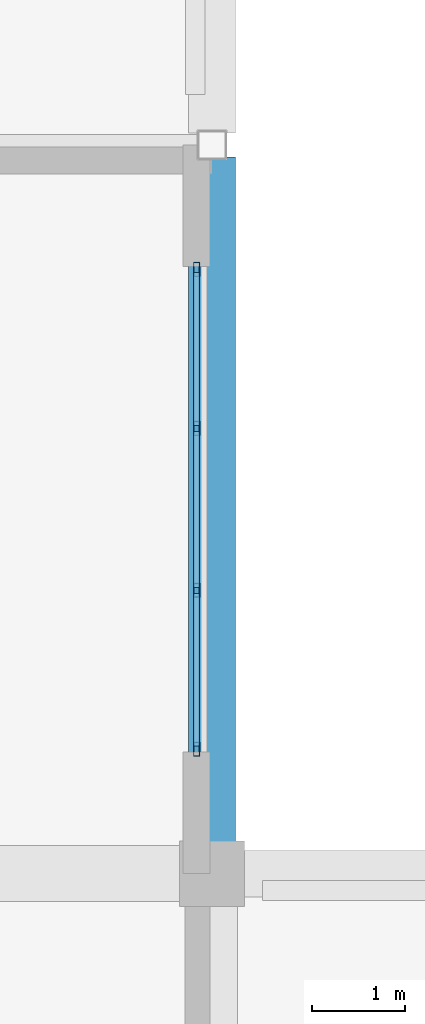
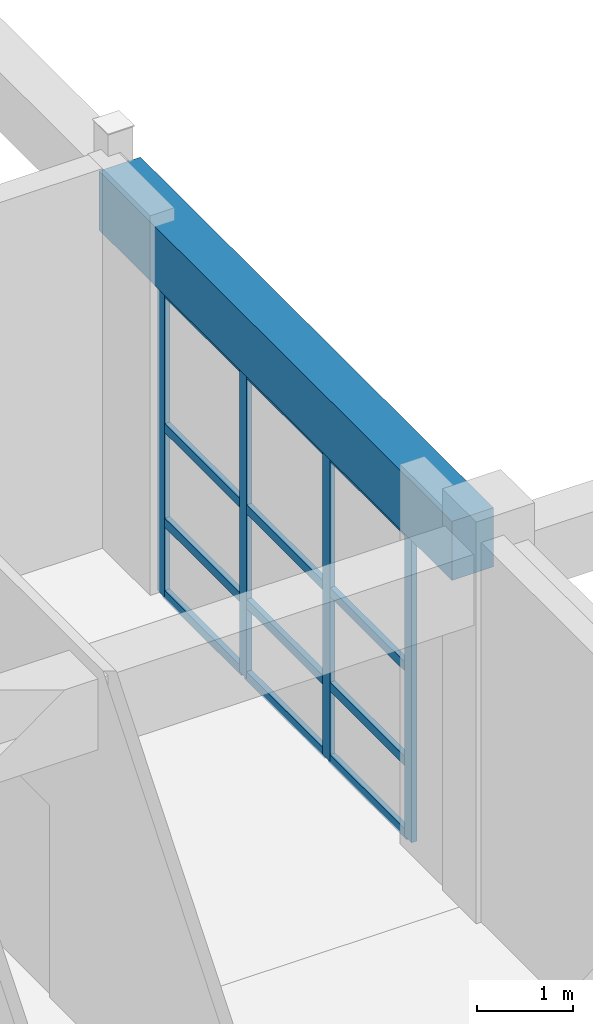
# One storey, part 15 of 78: 16 members, 1 beam, 1 element without a shape of its own.
"""IFC4 building model written with IfcOpenShell, lengths in metres."""

from ifc_helpers import new_model, si_unit, direction, frame, origin, origin_2d, place, context, subcontext, project, spatial, rectangle, hollow_rectangle, extrude, material, layer, layer_set, material_profile, profile_set, type_object, element, aggregate, save


model = new_model("IFC4")

# Units and contexts
model_context = context("Model", 3, precision=1e-05, world=origin(), true_north=direction((0.0, 1.0)))
body_context = subcontext(model_context, "Body", "Model", "MODEL_VIEW")
ifc_project = project(units=[si_unit("LENGTHUNIT", "METRE"), si_unit("AREAUNIT", "SQUARE_METRE"), si_unit("VOLUMEUNIT", "CUBIC_METRE"), si_unit("PLANEANGLEUNIT", "RADIAN"), si_unit("MASSUNIT", "GRAM", prefix="KILO")], contexts=[model_context])

# Site, building, storey
site_placement = place(None, origin())
site = spatial("IfcSite", under=ifc_project, at=site_placement, CompositionType="ELEMENT")
building_placement = place(site_placement, origin())
building = spatial("IfcBuilding", under=site, at=building_placement, Name="Quendrovan Civic Courthouse", CompositionType="ELEMENT")
storey_placement = place(building_placement, frame((0.0, 0.0, 10.199951171875)))
storey = spatial("IfcBuildingStorey", under=building, at=storey_placement, Name="L03", CompositionType="ELEMENT", Elevation=10.199951171875)

# Beam
ifc_material_1 = material(Name="Concrete C40/50", Category="concrete")
ifc_material_profile_1 = material_profile(ifc_material_1, rectangle(XDim=0.5, YDim=0.75, at=origin_2d()), Name="RC-BM-500x750")
ifc_profile_set_1 = profile_set([ifc_material_profile_1], Name="Concrete C40/50")
beam_type = type_object("IfcBeamType", Name="BM-RC750", PredefinedType="SPANDREL", material=ifc_profile_set_1)
beam_placement = place(storey_placement, frame((16.800048828125, 15.929931640625, 4.28515625), z_axis=(0.0, 1.0, 0.0), x_axis=(-1.0, 0.0, 0.0)))
element("IfcBeam", 1, at=beam_placement, inside=storey, type_object=beam_type, Name="L03 Girder Y0810", PredefinedType="SPANDREL", context=body_context, shape_type="SweptSolid", body=[
    extrude(rectangle(XDim=0.5, YDim=0.75, at=origin_2d()), origin(), (0.0, 0.0, 1.0), 7.340087890625),
])

# Curtain wall, members
ifc_material_2 = material(Name="Bronze anodised aluminium and low-E glass", Category="aluminium")
ifc_layer = layer(ifc_material_2, 0.179931640625, Name="Bronze anodised aluminium and low-E glass")
ifc_layer_set = layer_set([ifc_layer], Name="Bronze anodised aluminium and low-E glass")
curtain_wall_type = type_object("IfcCurtainWallType", Name="CW-U52x39", PredefinedType="USERDEFINED", material=ifc_layer_set)
curtain_wall_placement = place(storey_placement, origin())
curtain_wall = element("IfcCurtainWall", 2, at=curtain_wall_placement, inside=storey, type_object=curtain_wall_type, Name="L03 Unitised Hurricane Curtain Wall CW-127", ObjectType="UNITISED CURTAIN WALL", PredefinedType="USERDEFINED")
ifc_material_3 = material(Name="Bronze anodised aluminium", Category="aluminium")
ifc_material_profile_2 = material_profile(ifc_material_3, hollow_rectangle(XDim=0.06494140625, YDim=0.14990234375, WallThickness=0.00390625, at=origin_2d()), Name="CW-MULL-65x150")
ifc_profile_set_2 = profile_set([ifc_material_profile_2], Name="Bronze anodised aluminium")
member_type_1 = type_object("IfcMemberType", Name="CW-MULL-B", PredefinedType="MULLION", material=ifc_profile_set_2)
member_1_placement = place(storey_placement, frame((16.635009765625, 22.0673828125, 0.0), z_axis=(0.0, 0.0, 1.0), x_axis=(1.0, 0.0, 0.0)))
member_1 = element("IfcMember", 3, at=member_1_placement, type_object=member_type_1, Name="CW-127 mullion 1", PredefinedType="MULLION", context=body_context, shape_type="SweptSolid", body=[
    extrude(hollow_rectangle(XDim=0.06494140625, YDim=0.14990234375, WallThickness=0.00390625, at=origin_2d()), origin(), (0.0, 0.0, 1.0), 3.900146484375),
])
member_2_placement = place(storey_placement, frame((16.635009765625, 20.36669921875, 0.0), z_axis=(0.0, 0.0, 1.0), x_axis=(1.0, 0.0, 0.0)))
member_2 = element("IfcMember", 4, at=member_2_placement, type_object=member_type_1, Name="CW-127 mullion 2", PredefinedType="MULLION", context=body_context, shape_type="SweptSolid", body=[
    extrude(hollow_rectangle(XDim=0.06494140625, YDim=0.14990234375, WallThickness=0.00390625, at=origin_2d()), origin(), (0.0, 0.0, 1.0), 3.900146484375),
])
member_3_placement = place(storey_placement, frame((16.635009765625, 18.63330078125, 0.0), z_axis=(0.0, 0.0, 1.0), x_axis=(1.0, 0.0, 0.0)))
member_3 = element("IfcMember", 5, at=member_3_placement, type_object=member_type_1, Name="CW-127 mullion 3", PredefinedType="MULLION", context=body_context, shape_type="SweptSolid", body=[
    extrude(hollow_rectangle(XDim=0.06494140625, YDim=0.14990234375, WallThickness=0.00390625, at=origin_2d()), origin(), (0.0, 0.0, 1.0), 3.900146484375),
])
member_4_placement = place(storey_placement, frame((16.635009765625, 16.9326171875, 0.0), z_axis=(0.0, 0.0, 1.0), x_axis=(1.0, 0.0, 0.0)))
member_4 = element("IfcMember", 6, at=member_4_placement, type_object=member_type_1, Name="CW-127 mullion 4", PredefinedType="MULLION", context=body_context, shape_type="SweptSolid", body=[
    extrude(hollow_rectangle(XDim=0.06494140625, YDim=0.14990234375, WallThickness=0.00390625, at=origin_2d()), origin(), (0.0, 0.0, 1.0), 3.900146484375),
])
ifc_material_profile_3 = material_profile(ifc_material_3, hollow_rectangle(XDim=0.06494140625, YDim=0.114990234375, WallThickness=0.00390625, at=origin_2d()), Name="CW-TRAN-65x115")
ifc_profile_set_3 = profile_set([ifc_material_profile_3], Name="Bronze anodised aluminium")
member_type_2 = type_object("IfcMemberType", Name="CW-TRAN-B", PredefinedType="USERDEFINED", material=ifc_profile_set_3)
member_5_placement = place(storey_placement, frame((16.635009765625, 22.034912109375, 0.032470703125), z_axis=(0.0, -1.0, 0.0), x_axis=(1.0, 0.0, 0.0)))
member_5 = element("IfcMember", 7, at=member_5_placement, type_object=member_type_2, Name="CW-127 transom 1.1", ObjectType="TRANSOM", PredefinedType="USERDEFINED", context=body_context, shape_type="SweptSolid", body=[
    extrude(hollow_rectangle(XDim=0.06494140625, YDim=0.114990234375, WallThickness=0.00390625, at=origin_2d()), origin(), (0.0, 0.0, 1.0), 1.6357421875),
])
member_6_placement = place(storey_placement, frame((16.635009765625, 22.034912109375, 0.949951171875), z_axis=(0.0, -1.0, 0.0), x_axis=(1.0, 0.0, 0.0)))
member_6 = element("IfcMember", 8, at=member_6_placement, type_object=member_type_2, Name="CW-127 transom 1.2", ObjectType="TRANSOM", PredefinedType="USERDEFINED", context=body_context, shape_type="SweptSolid", body=[
    extrude(hollow_rectangle(XDim=0.06494140625, YDim=0.114990234375, WallThickness=0.00390625, at=origin_2d()), origin(), (0.0, 0.0, 1.0), 1.6357421875),
])
member_7_placement = place(storey_placement, frame((16.635009765625, 22.034912109375, 2.150146484375), z_axis=(0.0, -1.0, 0.0), x_axis=(1.0, 0.0, 0.0)))
member_7 = element("IfcMember", 9, at=member_7_placement, type_object=member_type_2, Name="CW-127 transom 1.3", ObjectType="TRANSOM", PredefinedType="USERDEFINED", context=body_context, shape_type="SweptSolid", body=[
    extrude(hollow_rectangle(XDim=0.06494140625, YDim=0.114990234375, WallThickness=0.00390625, at=origin_2d()), origin(), (0.0, 0.0, 1.0), 1.6357421875),
])
member_8_placement = place(storey_placement, frame((16.635009765625, 22.034912109375, 3.867431640625), z_axis=(0.0, -1.0, 0.0), x_axis=(1.0, 0.0, 0.0)))
member_8 = element("IfcMember", 10, at=member_8_placement, type_object=member_type_2, Name="CW-127 transom 1.4", ObjectType="TRANSOM", PredefinedType="USERDEFINED", context=body_context, shape_type="SweptSolid", body=[
    extrude(hollow_rectangle(XDim=0.06494140625, YDim=0.114990234375, WallThickness=0.00390625, at=origin_2d()), origin(), (0.0, 0.0, 1.0), 1.6357421875),
])
member_9_placement = place(storey_placement, frame((16.635009765625, 20.334228515625, 0.032470703125), z_axis=(0.0, -1.0, 0.0), x_axis=(1.0, 0.0, 0.0)))
member_9 = element("IfcMember", 11, at=member_9_placement, type_object=member_type_2, Name="CW-127 transom 2.1", ObjectType="TRANSOM", PredefinedType="USERDEFINED", context=body_context, shape_type="SweptSolid", body=[
    extrude(hollow_rectangle(XDim=0.06494140625, YDim=0.114990234375, WallThickness=0.00390625, at=origin_2d()), origin(), (0.0, 0.0, 1.0), 1.66845703125),
])
member_10_placement = place(storey_placement, frame((16.635009765625, 20.334228515625, 0.949951171875), z_axis=(0.0, -1.0, 0.0), x_axis=(1.0, 0.0, 0.0)))
member_10 = element("IfcMember", 12, at=member_10_placement, type_object=member_type_2, Name="CW-127 transom 2.2", ObjectType="TRANSOM", PredefinedType="USERDEFINED", context=body_context, shape_type="SweptSolid", body=[
    extrude(hollow_rectangle(XDim=0.06494140625, YDim=0.114990234375, WallThickness=0.00390625, at=origin_2d()), origin(), (0.0, 0.0, 1.0), 1.66845703125),
])
member_11_placement = place(storey_placement, frame((16.635009765625, 20.334228515625, 2.150146484375), z_axis=(0.0, -1.0, 0.0), x_axis=(1.0, 0.0, 0.0)))
member_11 = element("IfcMember", 13, at=member_11_placement, type_object=member_type_2, Name="CW-127 transom 2.3", ObjectType="TRANSOM", PredefinedType="USERDEFINED", context=body_context, shape_type="SweptSolid", body=[
    extrude(hollow_rectangle(XDim=0.06494140625, YDim=0.114990234375, WallThickness=0.00390625, at=origin_2d()), origin(), (0.0, 0.0, 1.0), 1.66845703125),
])
member_12_placement = place(storey_placement, frame((16.635009765625, 20.334228515625, 3.867431640625), z_axis=(0.0, -1.0, 0.0), x_axis=(1.0, 0.0, 0.0)))
member_12 = element("IfcMember", 14, at=member_12_placement, type_object=member_type_2, Name="CW-127 transom 2.4", ObjectType="TRANSOM", PredefinedType="USERDEFINED", context=body_context, shape_type="SweptSolid", body=[
    extrude(hollow_rectangle(XDim=0.06494140625, YDim=0.114990234375, WallThickness=0.00390625, at=origin_2d()), origin(), (0.0, 0.0, 1.0), 1.66845703125),
])
member_13_placement = place(storey_placement, frame((16.635009765625, 18.600830078125, 0.032470703125), z_axis=(0.0, -1.0, 0.0), x_axis=(1.0, 0.0, 0.0)))
member_13 = element("IfcMember", 15, at=member_13_placement, type_object=member_type_2, Name="CW-127 transom 3.1", ObjectType="TRANSOM", PredefinedType="USERDEFINED", context=body_context, shape_type="SweptSolid", body=[
    extrude(hollow_rectangle(XDim=0.06494140625, YDim=0.114990234375, WallThickness=0.00390625, at=origin_2d()), origin(), (0.0, 0.0, 1.0), 1.6357421875),
])
member_14_placement = place(storey_placement, frame((16.635009765625, 18.600830078125, 0.949951171875), z_axis=(0.0, -1.0, 0.0), x_axis=(1.0, 0.0, 0.0)))
member_14 = element("IfcMember", 16, at=member_14_placement, type_object=member_type_2, Name="CW-127 transom 3.2", ObjectType="TRANSOM", PredefinedType="USERDEFINED", context=body_context, shape_type="SweptSolid", body=[
    extrude(hollow_rectangle(XDim=0.06494140625, YDim=0.114990234375, WallThickness=0.00390625, at=origin_2d()), origin(), (0.0, 0.0, 1.0), 1.6357421875),
])
member_15_placement = place(storey_placement, frame((16.635009765625, 18.600830078125, 2.150146484375), z_axis=(0.0, -1.0, 0.0), x_axis=(1.0, 0.0, 0.0)))
member_15 = element("IfcMember", 17, at=member_15_placement, type_object=member_type_2, Name="CW-127 transom 3.3", ObjectType="TRANSOM", PredefinedType="USERDEFINED", context=body_context, shape_type="SweptSolid", body=[
    extrude(hollow_rectangle(XDim=0.06494140625, YDim=0.114990234375, WallThickness=0.00390625, at=origin_2d()), origin(), (0.0, 0.0, 1.0), 1.6357421875),
])
member_16_placement = place(storey_placement, frame((16.635009765625, 18.600830078125, 3.867431640625), z_axis=(0.0, -1.0, 0.0), x_axis=(1.0, 0.0, 0.0)))
member_16 = element("IfcMember", 18, at=member_16_placement, type_object=member_type_2, Name="CW-127 transom 3.4", ObjectType="TRANSOM", PredefinedType="USERDEFINED", context=body_context, shape_type="SweptSolid", body=[
    extrude(hollow_rectangle(XDim=0.06494140625, YDim=0.114990234375, WallThickness=0.00390625, at=origin_2d()), origin(), (0.0, 0.0, 1.0), 1.6357421875),
])
aggregate(curtain_wall, [member_1, member_2, member_3, member_4, member_5, member_6, member_7, member_8, member_9, member_10, member_11, member_12, member_13, member_14, member_15, member_16])

save(model, "model.ifc")
